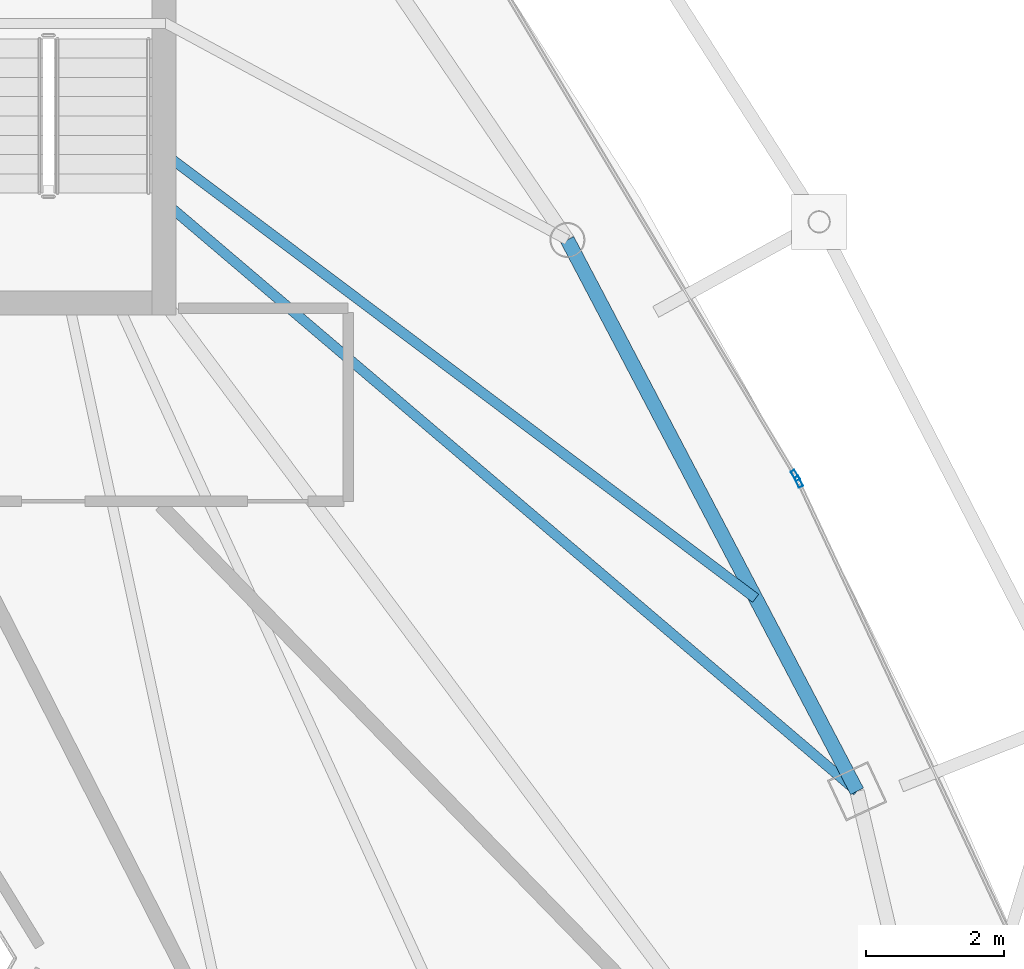
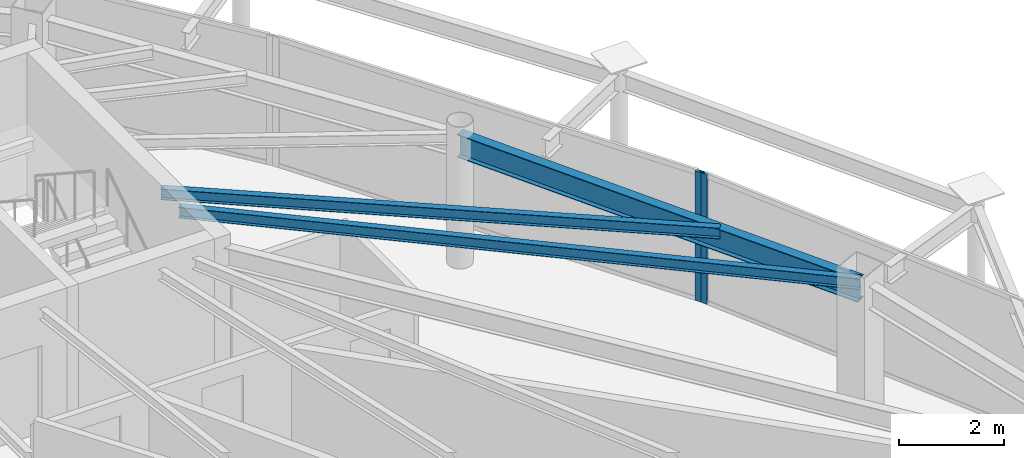
# One storey, part 17 of 30: 3 beams, 2 members, 2 elements without a shape of their own.
"""IFC4 building model written with IfcOpenShell, lengths in metres."""

from ifc_helpers import new_model, si_unit, direction, frame, origin, origin_2d, place, context, subcontext, project, spatial, hollow_rectangle, i_section, extrude, material, layer, layer_set, material_profile, profile_set, type_object, element, aggregate, save


model = new_model("IFC4")

# Units and contexts
model_context = context("Model", 3, precision=1e-05, world=origin(), true_north=direction((0.0, 1.0)))
body_context = subcontext(model_context, "Body", "Model", "MODEL_VIEW")
ifc_project = project(units=[si_unit("LENGTHUNIT", "METRE"), si_unit("AREAUNIT", "SQUARE_METRE"), si_unit("VOLUMEUNIT", "CUBIC_METRE"), si_unit("PLANEANGLEUNIT", "RADIAN"), si_unit("MASSUNIT", "GRAM", prefix="KILO")], contexts=[model_context])

# Site, building, storey
site_placement = place(None, origin())
site = spatial("IfcSite", under=ifc_project, at=site_placement, CompositionType="ELEMENT")
building_placement = place(site_placement, origin())
building = spatial("IfcBuilding", under=site, at=building_placement, Name="Orvanel Arch Residences", CompositionType="ELEMENT")
storey_placement = place(building_placement, frame((0.0, 0.0, 273.35009765625)))
storey = spatial("IfcBuildingStorey", under=building, at=storey_placement, Name="L78", CompositionType="ELEMENT", Elevation=273.35009765625)

# Beams
ifc_material_1 = material(Name="Structural steel AS/NZS 3679.1 Grade 300 (300 MPa)", Category="steel")
ifc_material_profile_1 = material_profile(ifc_material_1, i_section(OverallWidth=0.14599609375, OverallDepth=0.251953125, WebThickness=0.006103515625, FlangeThickness=0.008544921875, at=origin_2d()), Name="250UB31.4")
ifc_profile_set_1 = profile_set([ifc_material_profile_1], Name="Structural steel AS/NZS 3679.1 Grade 300 (300 MPa)")
beam_type_1 = type_object("IfcBeamType", Name="BJ-250UB", PredefinedType="JOIST", material=ifc_profile_set_1)
beam_1_placement = place(storey_placement, frame((39.574951171875, 28.199951171875, 2.893798828125), z_axis=(0.761622669031, -0.64802076357, 0.0), x_axis=(0.64802076357, 0.761622669031, 0.0)))
element("IfcBeam", 1, at=beam_1_placement, inside=storey, type_object=beam_type_1, Name="L78 E Wing Floor Joist", PredefinedType="JOIST", context=body_context, shape_type="SweptSolid", body=[
    extrude(i_section(OverallWidth=0.14599609375, OverallDepth=0.251953125, WebThickness=0.006103515625, FlangeThickness=0.008544921875, at=origin_2d()), origin(), (0.0, 0.0, 1.0), 13.2060546875),
])
beam_2_placement = place(storey_placement, frame((39.574951171875, 28.89990234375, 2.893798828125), z_axis=(0.799211300837, -0.60105016148, 0.0), x_axis=(0.60105016148, 0.799211300837, 0.0)))
element("IfcBeam", 2, at=beam_2_placement, inside=storey, type_object=beam_type_1, Name="L78 CTE Wing Floor Joist", PredefinedType="JOIST", context=body_context, shape_type="SweptSolid", body=[
    extrude(i_section(OverallWidth=0.14599609375, OverallDepth=0.251953125, WebThickness=0.006103515625, FlangeThickness=0.008544921875, at=origin_2d()), origin(), (0.0, 0.0, 1.0), 10.74462890625),
])

# Curtain wall, member
ifc_material_2 = material(Name="Bronze-anodised aluminium AA6063-T6", Category="aluminium")
ifc_layer = layer(ifc_material_2, 0.175048828125)
ifc_layer_set = layer_set([ifc_layer], Name="Bronze-anodised aluminium AA6063-T6")
curtain_wall_type = type_object("IfcCurtainWallType", Name="CW4-HI-SYS", PredefinedType="NOTDEFINED", material=ifc_layer_set)
curtain_wall_1_placement = place(storey_placement, origin())
curtain_wall_1 = element("IfcCurtainWall", 3, at=curtain_wall_1_placement, inside=storey, type_object=curtain_wall_type, Name="L78 CW4-HI-SYS Unitised Curtain Wall", PredefinedType="NOTDEFINED")
ifc_material_profile_2 = material_profile(ifc_material_2, hollow_rectangle(XDim=0.06494140625, YDim=0.159912109375, WallThickness=0.00390625, at=origin_2d()), Name="ALU160x65x4")
ifc_profile_set_2 = profile_set([ifc_material_profile_2], Name="Bronze-anodised aluminium AA6063-T6")
member_type = type_object("IfcMemberType", Name="MUL-160x65", PredefinedType="MULLION", material=ifc_profile_set_2)
member_1_placement = place(storey_placement, frame((48.78564453125, 24.131591796875, 0.0), z_axis=(0.0, 0.0, 1.0), x_axis=(-0.906196789885, -0.422856214336, 0.0)))
member_1 = element("IfcMember", 4, at=member_1_placement, type_object=member_type, Name="CW-S4 mullion 2", PredefinedType="MULLION", context=body_context, shape_type="SweptSolid", body=[
    extrude(hollow_rectangle(XDim=0.06494140625, YDim=0.159912109375, WallThickness=0.00390625, at=origin_2d()), origin(), (0.0, 0.0, 1.0), 3.02001953125),
])
aggregate(curtain_wall_1, [member_1])

curtain_wall_2_placement = place(storey_placement, origin())
curtain_wall_2 = element("IfcCurtainWall", 5, at=curtain_wall_2_placement, inside=storey, type_object=curtain_wall_type, Name="L78 CW4-HI-SYS Unitised Curtain Wall", PredefinedType="NOTDEFINED")
member_2_placement = place(storey_placement, frame((48.7373046875, 24.223876953125, 0.0), z_axis=(0.0, 0.0, 1.0), x_axis=(-0.857549798065, -0.514400956296, 0.0)))
member_2 = element("IfcMember", 6, at=member_2_placement, type_object=member_type, Name="CW-S4 mullion 1", PredefinedType="MULLION", context=body_context, shape_type="SweptSolid", body=[
    extrude(hollow_rectangle(XDim=0.06494140625, YDim=0.159912109375, WallThickness=0.00390625, at=origin_2d()), origin(), (0.0, 0.0, 1.0), 3.02001953125),
])
aggregate(curtain_wall_2, [member_2])

# Beam
ifc_material_profile_3 = material_profile(ifc_material_1, i_section(OverallWidth=0.208984375, OverallDepth=0.532958984375, WebThickness=0.01025390625, FlangeThickness=0.015625, at=origin_2d()), Name="530UB92.4")
ifc_profile_set_3 = profile_set([ifc_material_profile_3], Name="Structural steel AS/NZS 3679.1 Grade 300 (300 MPa)")
beam_type_2 = type_object("IfcBeamType", Name="SP-530UB", PredefinedType="SPANDREL", material=ifc_profile_set_3)
beam_3_placement = place(storey_placement, frame((49.633056640625, 19.64208984375, 2.7529296875), z_axis=(-0.465064762793, 0.885276660942, 0.0), x_axis=(-0.885276660942, -0.465064762793, 0.0)))
element("IfcBeam", 7, at=beam_3_placement, inside=storey, type_object=beam_type_2, Name="L78 Perimeter Spandrel Beam 07", PredefinedType="SPANDREL", context=body_context, shape_type="SweptSolid", body=[
    extrude(i_section(OverallWidth=0.208984375, OverallDepth=0.532958984375, WebThickness=0.01025390625, FlangeThickness=0.015625, at=origin_2d()), origin(), (0.0, 0.0, 1.0), 9.03564453125),
])

save(model, "model.ifc")
